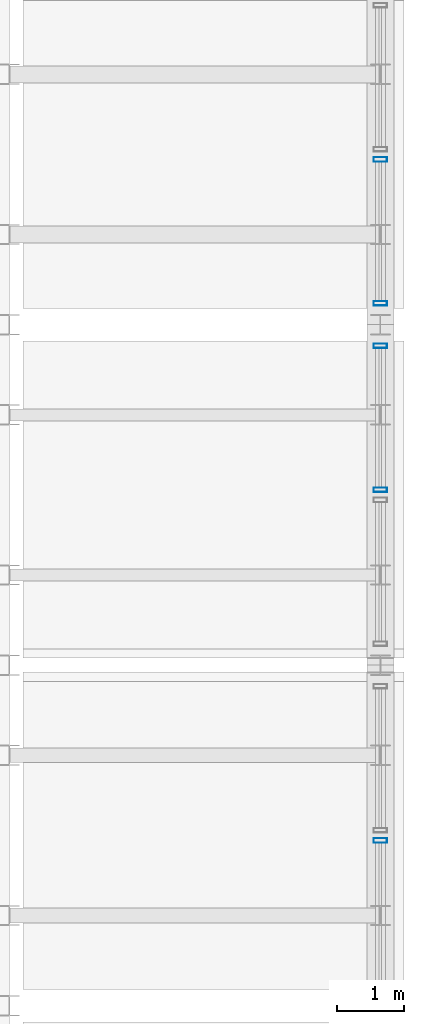
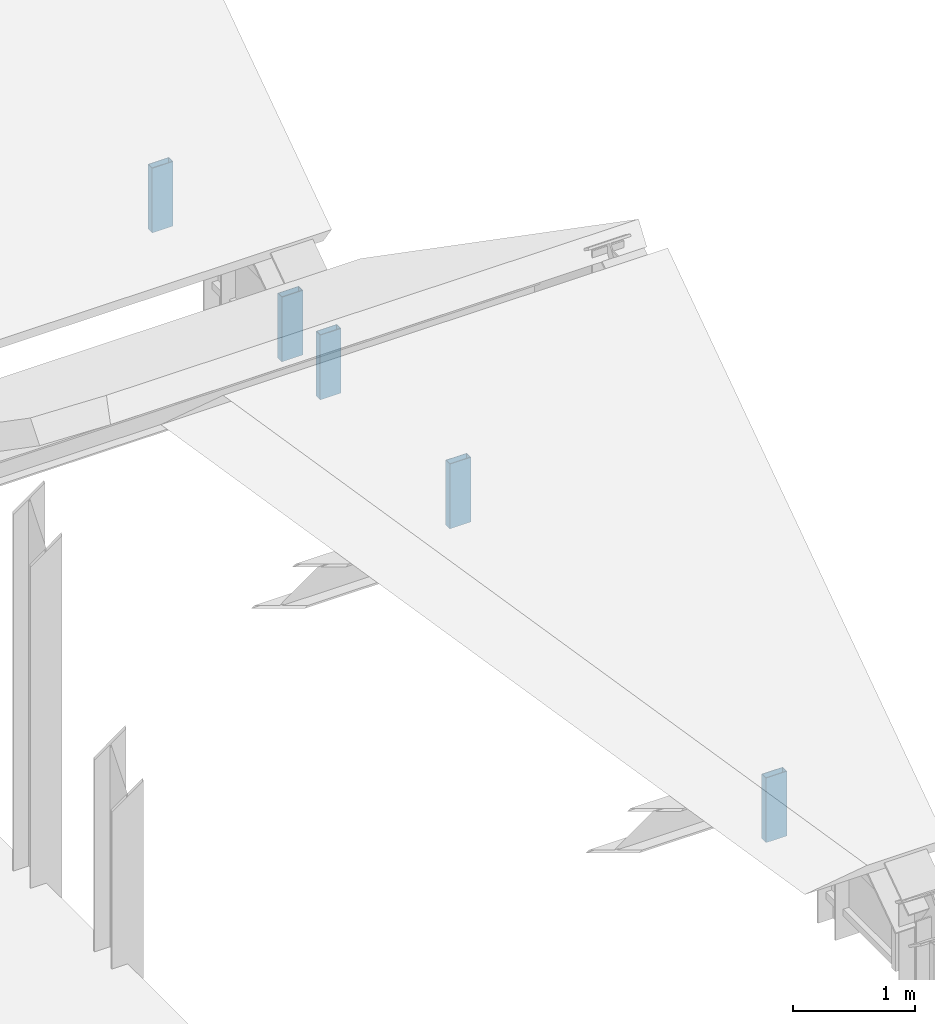
# One storey, part 17 of 21: 5 members, 3 elements without a shape of their own.
"""IFC4 building model written with IfcOpenShell, lengths in metres."""

from ifc_helpers import new_model, si_unit, direction, frame, origin, origin_2d, place, context, subcontext, project, spatial, hollow_rectangle, extrude, source, transform, mapped, material, layer, layer_set, material_profile, profile_set, type_object, element, aggregate, save


model = new_model("IFC4")

# Units and contexts
model_context = context("Model", 3, precision=1e-05, world=origin(), true_north=direction((0.0, 1.0)))
body_context = subcontext(model_context, "Body", "Model", "MODEL_VIEW")
ifc_project = project(units=[si_unit("LENGTHUNIT", "METRE"), si_unit("AREAUNIT", "SQUARE_METRE"), si_unit("VOLUMEUNIT", "CUBIC_METRE"), si_unit("PLANEANGLEUNIT", "RADIAN"), si_unit("MASSUNIT", "GRAM", prefix="KILO")], contexts=[model_context])

# Site, building, storey
site_placement = place(None, origin())
site = spatial("IfcSite", under=ifc_project, at=site_placement, CompositionType="ELEMENT")
building_placement = place(site_placement, origin())
building = spatial("IfcBuilding", under=site, at=building_placement, Name="Saelheon Loggia Tower", CompositionType="ELEMENT")
storey_placement = place(building_placement, frame((0.0, 0.0, 275.0)))
storey = spatial("IfcBuildingStorey", under=building, at=storey_placement, Name="ROOF", CompositionType="ELEMENT", Elevation=275.0)

# Curtain wall, member
ifc_material_1 = material(Name="Bronze-Anodised Aluminium and Fritted Ceramic Screen", Category="aluminium")
ifc_layer = layer(ifc_material_1, 0.219970703125)
ifc_layer_set = layer_set([ifc_layer], Name="Bronze-Anodised Aluminium and Fritted Ceramic Screen")
curtain_wall_type = type_object("IfcCurtainWallType", Name="CW_CrownScreen", PredefinedType="NOTDEFINED", material=ifc_layer_set)
curtain_wall_1_placement = place(storey_placement, origin())
curtain_wall_1 = element("IfcCurtainWall", 1, at=curtain_wall_1_placement, inside=storey, type_object=curtain_wall_type, Name="ROOF Wave Crest Curtain Wall E 03-1", PredefinedType="NOTDEFINED")
ifc_material_2 = material(Name="Bronze-Anodised Aluminium 6063-T6", Category="aluminium")
ifc_material_profile = material_profile(ifc_material_2, hollow_rectangle(XDim=0.070068359375, YDim=0.199951171875, WallThickness=0.0048828125, at=origin_2d()), Name="RHS-200x70x5")
ifc_profile_set = profile_set([ifc_material_profile], Name="Bronze-Anodised Aluminium 6063-T6")
member_type = type_object("IfcMemberType", Name="CW_CrownScreen_Mullion", PredefinedType="MULLION", material=ifc_profile_set)
shared_shape = source(origin(), body_context, "Body", "SweptSolid", [
    extrude(hollow_rectangle(XDim=0.070068359375, YDim=0.199951171875, WallThickness=0.0048828125, at=origin_2d()), origin(), (0.0, 0.0, 1.0), 0.64990234375),
])
member_1_placement = place(storey_placement, frame((52.64990234375, 24.39990234375, 0.02001953125), z_axis=(0.0, 0.0, 1.0), x_axis=(0.0, 1.0, 0.0)))
member_1 = element("IfcMember", 2, at=member_1_placement, type_object=member_type, Name="CW6 mullion 2", PredefinedType="MULLION", context=body_context, shape_type="MappedRepresentation", body=[
    mapped(shared_shape, transform((0.0, 0.0, 0.0), scale=1.0)),
])
aggregate(curtain_wall_1, [member_1])

# Curtain wall, members
curtain_wall_2_placement = place(storey_placement, origin())
curtain_wall_2 = element("IfcCurtainWall", 3, at=curtain_wall_2_placement, inside=storey, type_object=curtain_wall_type, Name="ROOF Wave Crest Curtain Wall E 04-2", PredefinedType="NOTDEFINED")
member_2_placement = place(storey_placement, frame((52.64990234375, 29.60009765625, 0.02001953125), z_axis=(0.0, 0.0, 1.0), x_axis=(0.0, 1.0, 0.0)))
member_2 = element("IfcMember", 4, at=member_2_placement, type_object=member_type, Name="CW6 mullion 1", PredefinedType="MULLION", context=body_context, shape_type="MappedRepresentation", body=[
    mapped(shared_shape, transform((0.0, 0.0, 0.0), scale=1.0)),
])
member_3_placement = place(storey_placement, frame((52.64990234375, 31.735107421875, 0.02001953125), z_axis=(0.0, 0.0, 1.0), x_axis=(0.0, 1.0, 0.0)))
member_3 = element("IfcMember", 5, at=member_3_placement, type_object=member_type, Name="CW6 mullion 2", PredefinedType="MULLION", context=body_context, shape_type="MappedRepresentation", body=[
    mapped(shared_shape, transform((0.0, 0.0, 0.0), scale=1.0)),
])
aggregate(curtain_wall_2, [member_2, member_3])

curtain_wall_3_placement = place(storey_placement, origin())
curtain_wall_3 = element("IfcCurtainWall", 6, at=curtain_wall_3_placement, inside=storey, type_object=curtain_wall_type, Name="ROOF Wave Crest Curtain Wall E 05-1", PredefinedType="NOTDEFINED")
member_4_placement = place(storey_placement, frame((52.64990234375, 32.364990234375, 0.02001953125), z_axis=(0.0, 0.0, 1.0), x_axis=(0.0, 1.0, 0.0)))
member_4 = element("IfcMember", 7, at=member_4_placement, type_object=member_type, Name="CW6 mullion 1", PredefinedType="MULLION", context=body_context, shape_type="MappedRepresentation", body=[
    mapped(shared_shape, transform((0.0, 0.0, 0.0), scale=1.0)),
])
member_5_placement = place(storey_placement, frame((52.64990234375, 34.5, 0.02001953125), z_axis=(0.0, 0.0, 1.0), x_axis=(0.0, 1.0, 0.0)))
member_5 = element("IfcMember", 8, at=member_5_placement, type_object=member_type, Name="CW6 mullion 2", PredefinedType="MULLION", context=body_context, shape_type="MappedRepresentation", body=[
    mapped(shared_shape, transform((0.0, 0.0, 0.0), scale=1.0)),
])
aggregate(curtain_wall_3, [member_4, member_5])

save(model, "model.ifc")
